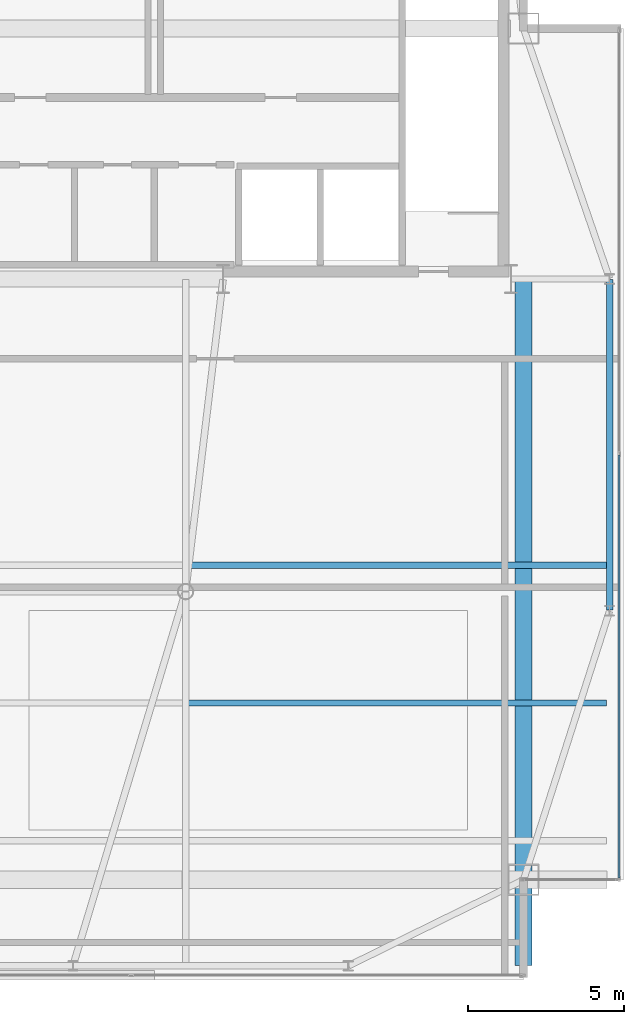
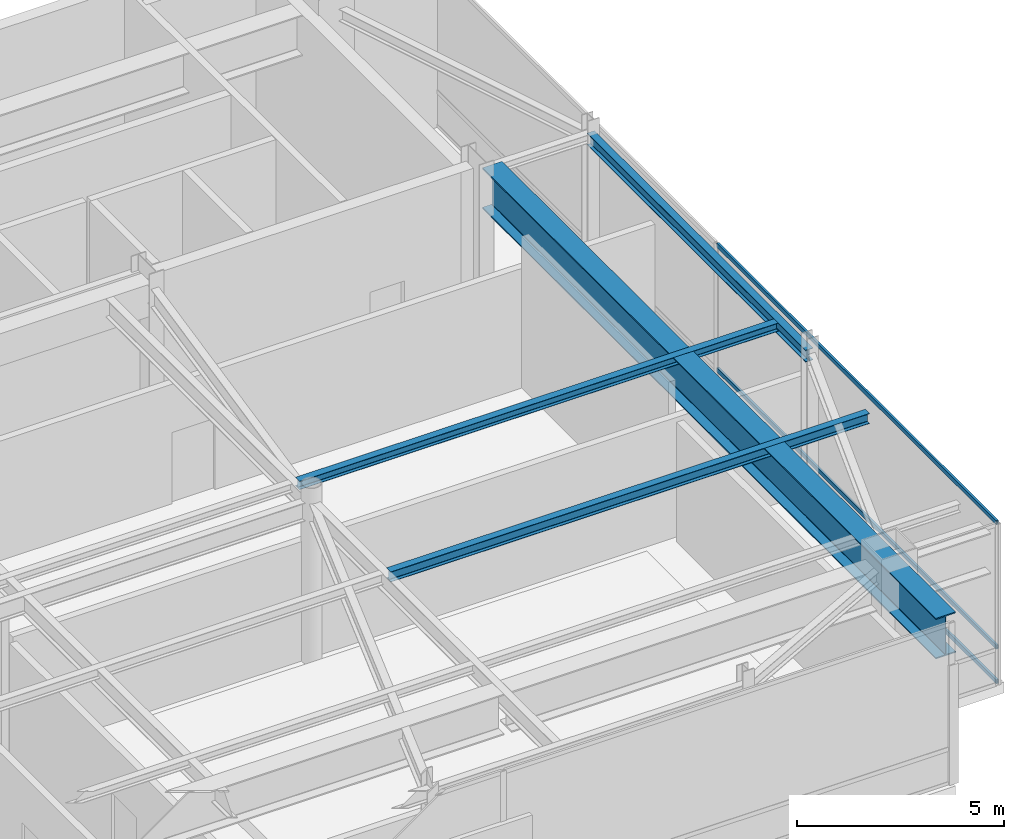
# One storey, part 15 of 20: 4 beams, 3 members, 1 element without a shape of its own.
"""IFC4 building model written with IfcOpenShell, lengths in metres."""

import ifcopenshell
import ifcopenshell.guid

model = None  # the IFC model being written
_history = None  # IfcOwnerHistory: only IFC2X3 demands one
_inside = {}  # id of a spatial element -> (the spatial element, [elements in it])
_under = {}  # id of a project, library or spatial element -> (it, [spatial elements below it])
_declared = {}  # id of a project -> (the project, [libraries it declares])
_typed = {}  # id of a type object -> (the type object, [elements of that type])
_made_of = {}  # id of a material, layer set ... -> (it, [elements and type objects made of it])


def new_model(schema):
    """Start an empty IFC model of exactly this schema.

    Asked for "IFC4X3", IfcOpenShell would pick the latest addendum, in which some entities
    have other attributes; the version numbers below select the first issue.
    IFC2X3 requires an IfcOwnerHistory on every rooted entity: one is made here for all.
    """
    global model, _history
    if schema == "IFC4X3":
        model = ifcopenshell.file(schema_version=(4, 3, 0, 0))
    else:
        model = ifcopenshell.file(schema=schema)
    _inside.clear()
    _under.clear()
    _declared.clear()
    _typed.clear()
    _made_of.clear()
    _history = None
    if model.schema == "IFC2X3":
        org = make("IfcOrganization", Name="unknown")
        user = make(
            "IfcPersonAndOrganization",
            ThePerson=make("IfcPerson", FamilyName="unknown"),
            TheOrganization=org,
        )
        app = make(
            "IfcApplication",
            ApplicationDeveloper=org,
            Version="unknown",
            ApplicationFullName="unknown",
            ApplicationIdentifier="unknown",
        )
        _history = make(
            "IfcOwnerHistory",
            OwningUser=user,
            OwningApplication=app,
            ChangeAction="ADDED",
            CreationDate=0,
        )
    return model


def make(cls, **values):
    """One entity of the class cls with the attributes given. An attribute that is None is left unset."""
    return model.create_entity(
        cls, **{name: value for name, value in values.items() if value is not None}
    )


def rooted(cls, **values):
    """An entity with a GlobalId (a new one), such as an element, a storey or a relation."""
    return make(cls, GlobalId=ifcopenshell.guid.new(), OwnerHistory=_history, **values)


def si_unit(unit_type, name, prefix=None):
    """IfcSIUnit, for example si_unit("LENGTHUNIT", "METRE", prefix="MILLI")."""
    return make("IfcSIUnit", UnitType=unit_type, Prefix=prefix, Name=name)


def assignment(units):
    """IfcUnitAssignment: the units of a project."""
    return None if units is None else make("IfcUnitAssignment", Units=units)


def point(xyz):
    """IfcCartesianPoint."""
    return None if xyz is None else make("IfcCartesianPoint", Coordinates=xyz)


def direction(xyz):
    """IfcDirection."""
    return None if xyz is None else make("IfcDirection", DirectionRatios=xyz)


def frame(location, z_axis=None, x_axis=None):
    """IfcAxis2Placement3D, a coordinate frame: its origin and axes. An axis left out is left unset."""
    return make(
        "IfcAxis2Placement3D",
        Location=point(location),
        Axis=direction(z_axis),
        RefDirection=direction(x_axis),
    )


def frame_2d(location, x_axis=None):
    """IfcAxis2Placement2D, a coordinate frame in the plane: its origin and x axis."""
    return make(
        "IfcAxis2Placement2D", Location=point(location), RefDirection=direction(x_axis)
    )


def origin():
    """The frame at (0, 0, 0) with its axes left unset."""
    return frame((0.0, 0.0, 0.0))


def origin_2d():
    """The frame at (0, 0) in the plane with its x axis left unset."""
    return frame_2d((0.0, 0.0))


def place(relative_to, where):
    """IfcLocalPlacement: puts the frame where relative to a parent placement (None: the world)."""
    return make(
        "IfcLocalPlacement", PlacementRelTo=relative_to, RelativePlacement=where
    )


def context(
    kind, dimensions, precision=None, world=None, true_north=None, identifier=None
):
    """IfcGeometricRepresentationContext, for example the 3D "Model" context."""
    return make(
        "IfcGeometricRepresentationContext",
        ContextIdentifier=identifier,
        ContextType=kind,
        CoordinateSpaceDimension=dimensions,
        Precision=precision,
        WorldCoordinateSystem=world,
        TrueNorth=true_north,
    )


def subcontext(parent, identifier, kind, view, scale=None):
    """IfcGeometricRepresentationSubContext, for example "Body" below "Model"."""
    return make(
        "IfcGeometricRepresentationSubContext",
        ContextIdentifier=identifier,
        ContextType=kind,
        ParentContext=parent,
        TargetScale=scale,
        TargetView=view,
    )


def project(units=None, contexts=None):
    """IfcProject with its units and contexts."""
    return rooted(
        "IfcProject",
        Name="project",
        RepresentationContexts=contexts,
        UnitsInContext=assignment(units),
    )


def spatial(cls, under=None, at=None, **own):
    """A site, building, storey or space (cls), placed at a placement, below another one or the project."""
    s = rooted(cls, ObjectPlacement=at, **own)
    if under is not None:
        _under.setdefault(under.id(), (under, []))[1].append(s)
    return s


def profile(cls, at=None, kind="AREA", **sizes):
    """A parametric profile (cls). Its sizes go by their IFC names, for example OverallWidth=200.0."""
    return make(cls, ProfileType=kind, Position=at, **sizes)


def hollow_rectangle(**sizes):
    """IfcRectangleHollowProfileDef."""
    return profile("IfcRectangleHollowProfileDef", **sizes)


def i_section(**sizes):
    """IfcIShapeProfileDef."""
    return profile("IfcIShapeProfileDef", **sizes)


def extrude(swept, where, along, depth):
    """IfcExtrudedAreaSolid: the profile swept, set in the frame where, extruded along a direction by depth."""
    return make(
        "IfcExtrudedAreaSolid",
        SweptArea=swept,
        Position=where,
        ExtrudedDirection=direction(along),
        Depth=depth,
    )


def shape(context_of_items, identifier, shape_type, items):
    """IfcShapeRepresentation: the items that make up one representation, for example the "Body"."""
    return make(
        "IfcShapeRepresentation",
        ContextOfItems=context_of_items,
        RepresentationIdentifier=identifier,
        RepresentationType=shape_type,
        Items=items,
    )


def source(mapping_origin, context_of_items, identifier, shape_type, items):
    """IfcRepresentationMap: a shape defined once, which mapped items show again and again."""
    return make(
        "IfcRepresentationMap",
        MappingOrigin=mapping_origin,
        MappedRepresentation=shape(context_of_items, identifier, shape_type, items),
    )


def transform(
    local_origin,
    x_axis=None,
    y_axis=None,
    z_axis=None,
    scale=None,
    scale2=None,
    scale3=None,
    uniform=True,
):
    """IfcCartesianTransformationOperator3D, or its non-uniform kind. x_axis, y_axis, z_axis: its Axis1, 2, 3."""
    if uniform:
        return make(
            "IfcCartesianTransformationOperator3D",
            Axis1=direction(x_axis),
            Axis2=direction(y_axis),
            LocalOrigin=point(local_origin),
            Scale=scale,
            Axis3=direction(z_axis),
        )
    return make(
        "IfcCartesianTransformationOperator3DnonUniform",
        Axis1=direction(x_axis),
        Axis2=direction(y_axis),
        LocalOrigin=point(local_origin),
        Scale=scale,
        Axis3=direction(z_axis),
        Scale2=scale2,
        Scale3=scale3,
    )


def mapped(mapping_source, mapping_target):
    """IfcMappedItem: shows the shape of a source again, moved by a transform."""
    return make(
        "IfcMappedItem", MappingSource=mapping_source, MappingTarget=mapping_target
    )


def material(Name=None, Category=None):
    """IfcMaterial."""
    return make("IfcMaterial", Name=Name, Category=Category)


def layer(
    of_material, thickness, ventilated=None, Name=None, Category=None, Priority=None
):
    """IfcMaterialLayer: one layer of a wall or slab, of a material (None: an air gap)."""
    return make(
        "IfcMaterialLayer",
        Material=of_material,
        LayerThickness=thickness,
        IsVentilated=ventilated,
        Name=Name,
        Category=Category,
        Priority=Priority,
    )


def layer_set(layers, Name=None):
    """IfcMaterialLayerSet."""
    return make("IfcMaterialLayerSet", MaterialLayers=layers, LayerSetName=Name)


def material_profile(
    of_material, cross_section, Name=None, Category=None, Priority=None
):
    """IfcMaterialProfile: a cross section and its material."""
    return make(
        "IfcMaterialProfile",
        Name=Name,
        Material=of_material,
        Profile=cross_section,
        Priority=Priority,
        Category=Category,
    )


def profile_set(profiles, Name=None, composite=None):
    """IfcMaterialProfileSet."""
    return make(
        "IfcMaterialProfileSet",
        Name=Name,
        MaterialProfiles=profiles,
        CompositeProfile=composite,
    )


def made_of(thing, what):
    """Note that an element or type object is made of a material, layer set ...; save() writes the relation."""
    if what is not None:
        _made_of.setdefault(what.id(), (what, []))[1].append(thing)
    return thing


def type_object(cls, material=None, **own):
    """A type object (cls), such as IfcWallType, which elements share."""
    return made_of(rooted(cls, **own), material)


def type_shapes(of_type, sources):
    """Give a type object the sources (RepresentationMaps) that its elements show as mapped items."""
    of_type.RepresentationMaps = sources


def element(
    cls,
    number,
    at=None,
    inside=None,
    cuts=None,
    type_object=None,
    material=None,
    context=None,
    identifier="Body",
    shape_type=None,
    held_by="IfcProductDefinitionShape",
    body=None,
    shapes=None,
    **own,
):
    """One element of the class cls, such as IfcWall. Its Tag is "e" and its number.

    at: its placement. inside: the storey or other place that contains it. cuts: it is an
    opening in that element (IfcRelVoidsElement). A single representation is given by context,
    identifier, shape_type and body (its items); several are given by shapes. held_by: the class
    of the entity that holds the representations. save() writes the other relations.
    """
    e = rooted(cls, Tag="e%d" % number, ObjectPlacement=at, **own)
    if body is not None:
        shapes = [shape(context, identifier, shape_type, body)]
    if shapes is not None:
        e.Representation = make(held_by, Representations=shapes)
    if inside is not None:
        _inside.setdefault(inside.id(), (inside, []))[1].append(e)
    if cuts is not None:
        rooted(
            "IfcRelVoidsElement", RelatingBuildingElement=cuts, RelatedOpeningElement=e
        )
    if type_object is not None:
        _typed.setdefault(type_object.id(), (type_object, []))[1].append(e)
    return made_of(e, material)


def aggregate(whole, parts):
    """IfcRelAggregates: a whole, such as a stair, and the parts it consists of."""
    return rooted("IfcRelAggregates", RelatingObject=whole, RelatedObjects=parts)


def save(model, path):
    """Write the relations noted so far, then the file.

    IfcRelAggregates (storeys below a building ...), IfcRelContainedInSpatialStructure (elements
    in a storey), IfcRelDefinesByType, IfcRelAssociatesMaterial and IfcRelDeclares: one each for
    every whole, place, type object, material and project.
    """
    for whole, parts in _under.values():
        aggregate(whole, parts)
    for where, things in _inside.values():
        rooted(
            "IfcRelContainedInSpatialStructure",
            RelatedElements=things,
            RelatingStructure=where,
        )
    for kind, things in _typed.values():
        rooted("IfcRelDefinesByType", RelatedObjects=things, RelatingType=kind)
    for what, things in _made_of.values():
        rooted("IfcRelAssociatesMaterial", RelatedObjects=things, RelatingMaterial=what)
    for by, libraries in _declared.values():
        rooted("IfcRelDeclares", RelatingContext=by, RelatedDefinitions=libraries)
    model.write(path)


model = new_model("IFC4")

# Units and contexts
model_context = context("Model", 3, precision=1e-05, world=origin(), true_north=direction((0.0, 1.0)))
body_context = subcontext(model_context, "Body", "Model", "MODEL_VIEW")
ifc_project = project(units=[si_unit("LENGTHUNIT", "METRE"), si_unit("AREAUNIT", "SQUARE_METRE"), si_unit("VOLUMEUNIT", "CUBIC_METRE"), si_unit("PLANEANGLEUNIT", "RADIAN"), si_unit("MASSUNIT", "GRAM", prefix="KILO")], contexts=[model_context])

# Site, building, storey
site_placement = place(None, origin())
site = spatial("IfcSite", under=ifc_project, at=site_placement, CompositionType="ELEMENT")
building_placement = place(site_placement, origin())
building = spatial("IfcBuilding", under=site, at=building_placement, Name="Varnel Quay Broadcast Tower", CompositionType="ELEMENT")
storey_placement = place(building_placement, frame((0.0, 0.0, 314.60009765625)))
storey = spatial("IfcBuildingStorey", under=building, at=storey_placement, Name="L78", CompositionType="ELEMENT", Elevation=314.60009765625)

# Beams
ifc_material_1 = material(Name="Structural Steel CSA G40.21 350W", Category="steel")
ifc_material_profile_1 = material_profile(ifc_material_1, i_section(OverallWidth=0.205078125, OverallDepth=0.35400390625, WebThickness=0.009521484375, FlangeThickness=0.016845703125, FilletRadius=0.012939453125, at=origin_2d()), Name="W360X79")
ifc_profile_set_1 = profile_set([ifc_material_profile_1], Name="Structural Steel CSA G40.21 350W")
beam_type_1 = type_object("IfcBeamType", Name="Beam_W360X79", PredefinedType="SPANDREL", material=ifc_profile_set_1)
shared_shape_1 = source(origin(), body_context, "Body", "SweptSolid", [
    extrude(i_section(OverallWidth=0.205078125, OverallDepth=0.35400390625, WebThickness=0.009521484375, FlangeThickness=0.016845703125, FilletRadius=0.012939453125, at=origin_2d()), origin(), (0.0, 0.0, 1.0), 10.56005859375),
])
type_shapes(beam_type_1, [shared_shape_1])
beam_1_placement = place(storey_placement, frame((55.550048828125, 25.02001953125, 4.572998046875), z_axis=(0.0, 1.0, 0.0), x_axis=(-1.0, 0.0, 0.0)))
element("IfcBeam", 1, at=beam_1_placement, inside=storey, type_object=beam_type_1, Name="L78 East Spandrel TC-E1-TC-E2", PredefinedType="SPANDREL", context=body_context, shape_type="MappedRepresentation", body=[
    mapped(shared_shape_1, transform((0.0, 0.0, 0.0), x_axis=(1.0, 0.0, 0.0), y_axis=(0.0, 1.0, 0.0), z_axis=(0.0, 0.0, 1.0), scale=1.0)),
])
ifc_material_profile_2 = material_profile(ifc_material_1, i_section(OverallWidth=0.201904296875, OverallDepth=0.2470703125, WebThickness=0.00732421875, FlangeThickness=0.010986328125, FilletRadius=0.010986328125, at=origin_2d()), Name="W250X49")
ifc_profile_set_2 = profile_set([ifc_material_profile_2], Name="Structural Steel CSA G40.21 350W")
beam_type_2 = type_object("IfcBeamType", Name="Beam_W250X49", PredefinedType="JOIST", material=ifc_profile_set_2)
shared_shape_2 = source(origin(), body_context, "Body", "SweptSolid", [
    extrude(i_section(OverallWidth=0.201904296875, OverallDepth=0.2470703125, WebThickness=0.00732421875, FlangeThickness=0.010986328125, FilletRadius=0.010986328125, at=origin_2d()), origin(), (0.0, 0.0, 1.0), 13.351318359375),
])
type_shapes(beam_type_2, [shared_shape_2])
beam_2_placement = place(storey_placement, frame((42.10107421875, 26.449951171875, 4.62646484375), z_axis=(1.0, 0.0, 0.0), x_axis=(0.0, 1.0, 0.0)))
element("IfcBeam", 2, at=beam_2_placement, inside=storey, type_object=beam_type_2, Name="L78 East Floor Joist 3", PredefinedType="JOIST", context=body_context, shape_type="MappedRepresentation", body=[
    mapped(shared_shape_2, transform((0.0, 0.0, 0.0), x_axis=(1.0, 0.0, 0.0), y_axis=(0.0, 1.0, 0.0), z_axis=(0.0, 0.0, 1.0), scale=1.0)),
])
ifc_material_profile_3 = material_profile(ifc_material_1, i_section(OverallWidth=0.202880859375, OverallDepth=0.302978515625, WebThickness=0.007568359375, FlangeThickness=0.01318359375, FilletRadius=0.011962890625, at=origin_2d()), Name="W310X60")
ifc_profile_set_3 = profile_set([ifc_material_profile_3], Name="Structural Steel CSA G40.21 350W")
beam_type_3 = type_object("IfcBeamType", Name="Beam_W310X60", PredefinedType="JOIST", material=ifc_profile_set_3)
shared_shape_3 = source(origin(), body_context, "Body", "SweptSolid", [
    extrude(i_section(OverallWidth=0.202880859375, OverallDepth=0.302978515625, WebThickness=0.007568359375, FlangeThickness=0.01318359375, FilletRadius=0.011962890625, at=origin_2d()), origin(), (0.0, 0.0, 1.0), 13.351318359375),
])
type_shapes(beam_type_3, [shared_shape_3])
beam_3_placement = place(storey_placement, frame((42.10107421875, 22.050048828125, 4.598388671875), z_axis=(1.0, 0.0, 0.0), x_axis=(0.0, 1.0, 0.0)))
element("IfcBeam", 3, at=beam_3_placement, inside=storey, type_object=beam_type_3, Name="L78 East Floor Joist 2", PredefinedType="JOIST", context=body_context, shape_type="MappedRepresentation", body=[
    mapped(shared_shape_3, transform((0.0, 0.0, 0.0), x_axis=(1.0, 0.0, 0.0), y_axis=(0.0, 1.0, 0.0), z_axis=(0.0, 0.0, 1.0), scale=1.0)),
])
ifc_material_2 = material(Name="Structural Steel CSA G40.21 350WT", Category="steel")
ifc_material_profile_4 = material_profile(ifc_material_2, i_section(OverallWidth=0.550048828125, OverallDepth=1.199951171875, WebThickness=0.02001953125, FlangeThickness=0.034912109375, FilletRadius=0.02001953125, at=origin_2d()), Name="WWF1200X487")
ifc_profile_set_4 = profile_set([ifc_material_profile_4], Name="Structural Steel CSA G40.21 350WT")
beam_type_4 = type_object("IfcBeamType", Name="Girder_WWF1200X487", PredefinedType="BEAM", material=ifc_profile_set_4)
shared_shape_4 = source(origin(), body_context, "Body", "SweptSolid", [
    extrude(i_section(OverallWidth=0.550048828125, OverallDepth=1.199951171875, WebThickness=0.02001953125, FlangeThickness=0.034912109375, FilletRadius=0.02001953125, at=origin_2d()), origin(), (0.0, 0.0, 1.0), 21.91015625),
])
type_shapes(beam_type_4, [shared_shape_4])
beam_4_placement = place(storey_placement, frame((52.800048828125, 13.669921875, 4.14990234375), z_axis=(0.0, 1.0, 0.0), x_axis=(-1.0, 0.0, 0.0)))
element("IfcBeam", 4, at=beam_4_placement, inside=storey, type_object=beam_type_4, Name="L78 Crown Ring Support E", PredefinedType="BEAM", context=body_context, shape_type="MappedRepresentation", body=[
    mapped(shared_shape_4, transform((0.0, 0.0, 0.0), x_axis=(1.0, 0.0, 0.0), y_axis=(0.0, 1.0, 0.0), z_axis=(0.0, 0.0, 1.0), scale=1.0)),
])

# Curtain wall, members
ifc_material_3 = material(Name="Anodised Bronze Aluminium 6063-T6", Category="aluminium")
ifc_layer = layer(ifc_material_3, 0.18994140625, Name="Anodised Bronze Aluminium 6063-T6")
ifc_layer_set = layer_set([ifc_layer], Name="Anodised Bronze Aluminium 6063-T6")
curtain_wall_type = type_object("IfcCurtainWallType", Name="CW_UpperTower", PredefinedType="NOTDEFINED", material=ifc_layer_set)
curtain_wall_placement = place(storey_placement, origin())
curtain_wall = element("IfcCurtainWall", 5, at=curtain_wall_placement, inside=storey, type_object=curtain_wall_type, Name="L78 East Unitised Curtain Wall", PredefinedType="NOTDEFINED")
ifc_material_profile_5 = material_profile(ifc_material_3, hollow_rectangle(XDim=0.06005859375, YDim=0.125, WallThickness=0.0029296875, at=origin_2d()), Name="ALU60X125X3")
ifc_profile_set_5 = profile_set([ifc_material_profile_5], Name="Anodised Bronze Aluminium 6063-T6")
member_type = type_object("IfcMemberType", Name="Tran_CWS-03", PredefinedType="USERDEFINED", material=ifc_profile_set_5)
shared_shape_5 = source(origin(), body_context, "Body", "SweptSolid", [
    extrude(hollow_rectangle(XDim=0.06005859375, YDim=0.125, WallThickness=0.0029296875, at=origin_2d()), origin(), (0.0, 0.0, 1.0), 13.50244140625),
])
type_shapes(member_type, [shared_shape_5])
member_1_placement = place(storey_placement, frame((55.85009765625, 16.465087890625, 0.02978515625), z_axis=(0.0, 1.0, 0.0), x_axis=(-1.0, 0.0, 0.0)))
member_1 = element("IfcMember", 6, at=member_1_placement, type_object=member_type, Name="CWS-03 transom 1.1", ObjectType="TRANSOM", PredefinedType="USERDEFINED", context=body_context, shape_type="MappedRepresentation", body=[
    mapped(shared_shape_5, transform((0.0, 0.0, 0.0), x_axis=(1.0, 0.0, 0.0), y_axis=(0.0, 1.0, 0.0), z_axis=(0.0, 0.0, 1.0), scale=1.0)),
])
member_2_placement = place(storey_placement, frame((55.85009765625, 16.465087890625, 1.0498046875), z_axis=(0.0, 1.0, 0.0), x_axis=(-1.0, 0.0, 0.0)))
member_2 = element("IfcMember", 7, at=member_2_placement, type_object=member_type, Name="CWS-03 transom 1.2", ObjectType="TRANSOM", PredefinedType="USERDEFINED", context=body_context, shape_type="MappedRepresentation", body=[
    mapped(shared_shape_5, transform((0.0, 0.0, 0.0), x_axis=(1.0, 0.0, 0.0), y_axis=(0.0, 1.0, 0.0), z_axis=(0.0, 0.0, 1.0), scale=1.0)),
])
member_3_placement = place(storey_placement, frame((55.85009765625, 16.465087890625, 4.719970703125), z_axis=(0.0, 1.0, 0.0), x_axis=(-1.0, 0.0, 0.0)))
member_3 = element("IfcMember", 8, at=member_3_placement, type_object=member_type, Name="CWS-03 transom 1.3", ObjectType="TRANSOM", PredefinedType="USERDEFINED", context=body_context, shape_type="MappedRepresentation", body=[
    mapped(shared_shape_5, transform((0.0, 0.0, 0.0), x_axis=(1.0, 0.0, 0.0), y_axis=(0.0, 1.0, 0.0), z_axis=(0.0, 0.0, 1.0), scale=1.0)),
])
aggregate(curtain_wall, [member_1, member_2, member_3])

save(model, "model.ifc")
